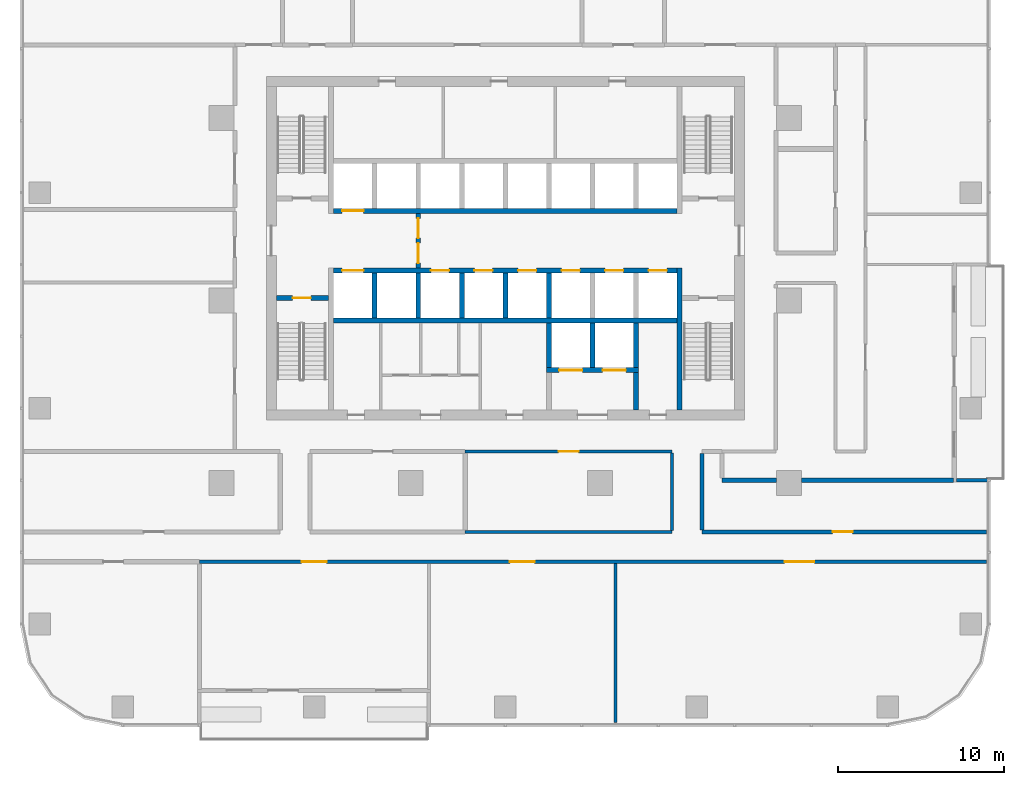
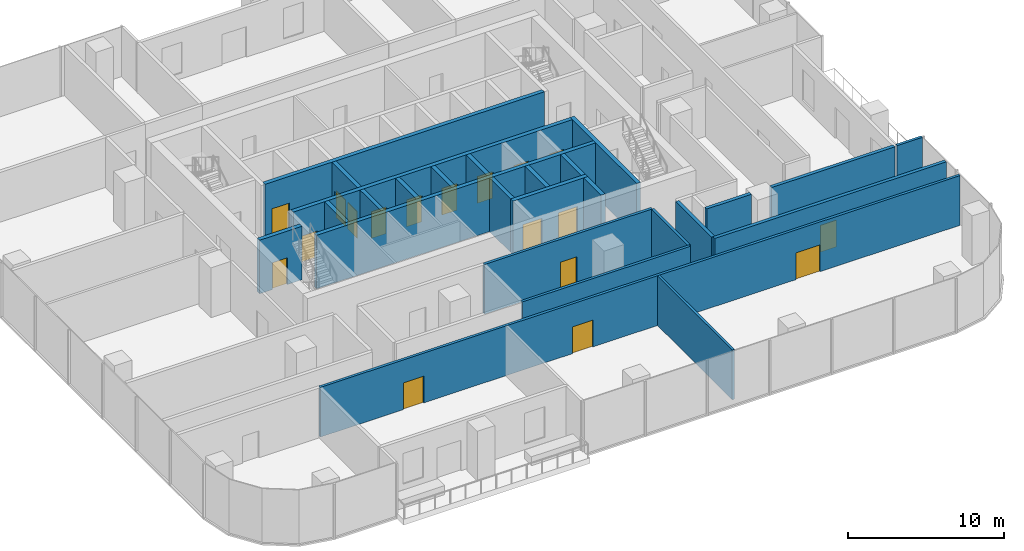
# One storey, part 8 of 14: 26 walls, 18 doors, 18 openings.
"""IFC4 building model written with IfcOpenShell, lengths in metres."""

import ifcopenshell
import ifcopenshell.guid

model = None  # the IFC model being written
_history = None  # IfcOwnerHistory: only IFC2X3 demands one
_inside = {}  # id of a spatial element -> (the spatial element, [elements in it])
_under = {}  # id of a project, library or spatial element -> (it, [spatial elements below it])
_declared = {}  # id of a project -> (the project, [libraries it declares])
_typed = {}  # id of a type object -> (the type object, [elements of that type])
_made_of = {}  # id of a material, layer set ... -> (it, [elements and type objects made of it])


def new_model(schema):
    """Start an empty IFC model of exactly this schema.

    Asked for "IFC4X3", IfcOpenShell would pick the latest addendum, in which some entities
    have other attributes; the version numbers below select the first issue.
    IFC2X3 requires an IfcOwnerHistory on every rooted entity: one is made here for all.
    """
    global model, _history
    if schema == "IFC4X3":
        model = ifcopenshell.file(schema_version=(4, 3, 0, 0))
    else:
        model = ifcopenshell.file(schema=schema)
    _inside.clear()
    _under.clear()
    _declared.clear()
    _typed.clear()
    _made_of.clear()
    _history = None
    if model.schema == "IFC2X3":
        org = make("IfcOrganization", Name="unknown")
        user = make(
            "IfcPersonAndOrganization",
            ThePerson=make("IfcPerson", FamilyName="unknown"),
            TheOrganization=org,
        )
        app = make(
            "IfcApplication",
            ApplicationDeveloper=org,
            Version="unknown",
            ApplicationFullName="unknown",
            ApplicationIdentifier="unknown",
        )
        _history = make(
            "IfcOwnerHistory",
            OwningUser=user,
            OwningApplication=app,
            ChangeAction="ADDED",
            CreationDate=0,
        )
    return model


def make(cls, **values):
    """One entity of the class cls with the attributes given. An attribute that is None is left unset."""
    return model.create_entity(
        cls, **{name: value for name, value in values.items() if value is not None}
    )


def rooted(cls, **values):
    """An entity with a GlobalId (a new one), such as an element, a storey or a relation."""
    return make(cls, GlobalId=ifcopenshell.guid.new(), OwnerHistory=_history, **values)


def si_unit(unit_type, name, prefix=None):
    """IfcSIUnit, for example si_unit("LENGTHUNIT", "METRE", prefix="MILLI")."""
    return make("IfcSIUnit", UnitType=unit_type, Prefix=prefix, Name=name)


def assignment(units):
    """IfcUnitAssignment: the units of a project."""
    return None if units is None else make("IfcUnitAssignment", Units=units)


def point(xyz):
    """IfcCartesianPoint."""
    return None if xyz is None else make("IfcCartesianPoint", Coordinates=xyz)


def direction(xyz):
    """IfcDirection."""
    return None if xyz is None else make("IfcDirection", DirectionRatios=xyz)


def frame(location, z_axis=None, x_axis=None):
    """IfcAxis2Placement3D, a coordinate frame: its origin and axes. An axis left out is left unset."""
    return make(
        "IfcAxis2Placement3D",
        Location=point(location),
        Axis=direction(z_axis),
        RefDirection=direction(x_axis),
    )


def frame_2d(location, x_axis=None):
    """IfcAxis2Placement2D, a coordinate frame in the plane: its origin and x axis."""
    return make(
        "IfcAxis2Placement2D", Location=point(location), RefDirection=direction(x_axis)
    )


def origin():
    """The frame at (0, 0, 0) with its axes left unset."""
    return frame((0.0, 0.0, 0.0))


def place(relative_to, where):
    """IfcLocalPlacement: puts the frame where relative to a parent placement (None: the world)."""
    return make(
        "IfcLocalPlacement", PlacementRelTo=relative_to, RelativePlacement=where
    )


def context(
    kind, dimensions, precision=None, world=None, true_north=None, identifier=None
):
    """IfcGeometricRepresentationContext, for example the 3D "Model" context."""
    return make(
        "IfcGeometricRepresentationContext",
        ContextIdentifier=identifier,
        ContextType=kind,
        CoordinateSpaceDimension=dimensions,
        Precision=precision,
        WorldCoordinateSystem=world,
        TrueNorth=true_north,
    )


def subcontext(parent, identifier, kind, view, scale=None):
    """IfcGeometricRepresentationSubContext, for example "Body" below "Model"."""
    return make(
        "IfcGeometricRepresentationSubContext",
        ContextIdentifier=identifier,
        ContextType=kind,
        ParentContext=parent,
        TargetScale=scale,
        TargetView=view,
    )


def project(units=None, contexts=None):
    """IfcProject with its units and contexts."""
    return rooted(
        "IfcProject",
        Name="project",
        RepresentationContexts=contexts,
        UnitsInContext=assignment(units),
    )


def spatial(cls, under=None, at=None, **own):
    """A site, building, storey or space (cls), placed at a placement, below another one or the project."""
    s = rooted(cls, ObjectPlacement=at, **own)
    if under is not None:
        _under.setdefault(under.id(), (under, []))[1].append(s)
    return s


def profile(cls, at=None, kind="AREA", **sizes):
    """A parametric profile (cls). Its sizes go by their IFC names, for example OverallWidth=200.0."""
    return make(cls, ProfileType=kind, Position=at, **sizes)


def rectangle(**sizes):
    """IfcRectangleProfileDef."""
    return profile("IfcRectangleProfileDef", **sizes)


def extrude(swept, where, along, depth):
    """IfcExtrudedAreaSolid: the profile swept, set in the frame where, extruded along a direction by depth."""
    return make(
        "IfcExtrudedAreaSolid",
        SweptArea=swept,
        Position=where,
        ExtrudedDirection=direction(along),
        Depth=depth,
    )


def shape(context_of_items, identifier, shape_type, items):
    """IfcShapeRepresentation: the items that make up one representation, for example the "Body"."""
    return make(
        "IfcShapeRepresentation",
        ContextOfItems=context_of_items,
        RepresentationIdentifier=identifier,
        RepresentationType=shape_type,
        Items=items,
    )


def material(Name=None, Category=None):
    """IfcMaterial."""
    return make("IfcMaterial", Name=Name, Category=Category)


def layer(
    of_material, thickness, ventilated=None, Name=None, Category=None, Priority=None
):
    """IfcMaterialLayer: one layer of a wall or slab, of a material (None: an air gap)."""
    return make(
        "IfcMaterialLayer",
        Material=of_material,
        LayerThickness=thickness,
        IsVentilated=ventilated,
        Name=Name,
        Category=Category,
        Priority=Priority,
    )


def layer_set(layers, Name=None):
    """IfcMaterialLayerSet."""
    return make("IfcMaterialLayerSet", MaterialLayers=layers, LayerSetName=Name)


def made_of(thing, what):
    """Note that an element or type object is made of a material, layer set ...; save() writes the relation."""
    if what is not None:
        _made_of.setdefault(what.id(), (what, []))[1].append(thing)
    return thing


def type_object(cls, material=None, **own):
    """A type object (cls), such as IfcWallType, which elements share."""
    return made_of(rooted(cls, **own), material)


def element(
    cls,
    number,
    at=None,
    inside=None,
    cuts=None,
    type_object=None,
    material=None,
    context=None,
    identifier="Body",
    shape_type=None,
    held_by="IfcProductDefinitionShape",
    body=None,
    shapes=None,
    **own,
):
    """One element of the class cls, such as IfcWall. Its Tag is "e" and its number.

    at: its placement. inside: the storey or other place that contains it. cuts: it is an
    opening in that element (IfcRelVoidsElement). A single representation is given by context,
    identifier, shape_type and body (its items); several are given by shapes. held_by: the class
    of the entity that holds the representations. save() writes the other relations.
    """
    e = rooted(cls, Tag="e%d" % number, ObjectPlacement=at, **own)
    if body is not None:
        shapes = [shape(context, identifier, shape_type, body)]
    if shapes is not None:
        e.Representation = make(held_by, Representations=shapes)
    if inside is not None:
        _inside.setdefault(inside.id(), (inside, []))[1].append(e)
    if cuts is not None:
        rooted(
            "IfcRelVoidsElement", RelatingBuildingElement=cuts, RelatedOpeningElement=e
        )
    if type_object is not None:
        _typed.setdefault(type_object.id(), (type_object, []))[1].append(e)
    return made_of(e, material)


def fill(opening, filler):
    """IfcRelFillsElement: the door or window that sits in an opening."""
    return rooted(
        "IfcRelFillsElement",
        RelatingOpeningElement=opening,
        RelatedBuildingElement=filler,
    )


def aggregate(whole, parts):
    """IfcRelAggregates: a whole, such as a stair, and the parts it consists of."""
    return rooted("IfcRelAggregates", RelatingObject=whole, RelatedObjects=parts)


def save(model, path):
    """Write the relations noted so far, then the file.

    IfcRelAggregates (storeys below a building ...), IfcRelContainedInSpatialStructure (elements
    in a storey), IfcRelDefinesByType, IfcRelAssociatesMaterial and IfcRelDeclares: one each for
    every whole, place, type object, material and project.
    """
    for whole, parts in _under.values():
        aggregate(whole, parts)
    for where, things in _inside.values():
        rooted(
            "IfcRelContainedInSpatialStructure",
            RelatedElements=things,
            RelatingStructure=where,
        )
    for kind, things in _typed.values():
        rooted("IfcRelDefinesByType", RelatedObjects=things, RelatingType=kind)
    for what, things in _made_of.values():
        rooted("IfcRelAssociatesMaterial", RelatedObjects=things, RelatingMaterial=what)
    for by, libraries in _declared.values():
        rooted("IfcRelDeclares", RelatingContext=by, RelatedDefinitions=libraries)
    model.write(path)


model = new_model("IFC4")

# Units and contexts
model_context = context("Model", 3, precision=1e-05, world=origin(), true_north=direction((0.0, 1.0)))
body_context = subcontext(model_context, "Body", "Model", "MODEL_VIEW")
ifc_project = project(units=[si_unit("LENGTHUNIT", "METRE"), si_unit("AREAUNIT", "SQUARE_METRE"), si_unit("VOLUMEUNIT", "CUBIC_METRE"), si_unit("PLANEANGLEUNIT", "RADIAN"), si_unit("MASSUNIT", "GRAM", prefix="KILO")], contexts=[model_context])

# Site, building, storey
site_placement = place(None, origin())
site = spatial("IfcSite", under=ifc_project, at=site_placement, CompositionType="ELEMENT")
building_placement = place(site_placement, origin())
building = spatial("IfcBuilding", under=site, at=building_placement, Name="Mopane Tessera Tower", CompositionType="ELEMENT")
storey_placement = place(building_placement, frame((0.0, 0.0, 144.10009765625)))
storey = spatial("IfcBuildingStorey", under=building, at=storey_placement, Name="L29", CompositionType="ELEMENT", Elevation=144.10009765625)

# Walls
ifc_material_1 = material(Name="Concrete C60/75", Category="concrete")
ifc_layer_1 = layer(ifc_material_1, 0.300048828125)
ifc_layer_set_1 = layer_set([ifc_layer_1], Name="Concrete C60/75")
wall_type_1 = type_object("IfcWallType", Name="Core spine wall 300 mm", PredefinedType="SHEAR", material=ifc_layer_set_1)
wall_1_placement = place(storey_placement, frame((10.5, -6.60009765625, 0.0), z_axis=(0.0, 0.0, 1.0), x_axis=(0.0, 1.0, 0.0)))
element("IfcWall", 1, at=wall_1_placement, inside=storey, type_object=wall_type_1, Name="L29 Core spine wall", PredefinedType="SHEAR", context=body_context, shape_type="SweptSolid", body=[
    extrude(rectangle(XDim=8.550048828125, YDim=0.300048828125, at=frame_2d((4.27490234375, 0.0))), origin(), (0.0, 0.0, 1.0), 4.199951171875),
])
ifc_material_2 = material(Name="Gypsum board on staggered steel studs, double layer each face, acoustic mineral wool infill", Category="steel")
ifc_layer_2 = layer(ifc_material_2, 0.175048828125)
ifc_layer_set_2 = layer_set([ifc_layer_2], Name="Gypsum board on staggered steel studs, double layer each face, acoustic mineral wool infill")
wall_type_2 = type_object("IfcWallType", Name="Gypsum board acoustic partition 175, rated EI 60", PredefinedType="PARTITIONING", material=ifc_layer_set_2)
wall_2_placement = place(storey_placement, frame((6.64501953125, -25.449951171875, 0.0), z_axis=(0.0, 0.0, 1.0), x_axis=(0.0, 1.0, 0.0)))
element("IfcWall", 2, at=wall_2_placement, inside=storey, type_object=wall_type_2, Name="Partition L29:042", PredefinedType="PARTITIONING", context=body_context, shape_type="SweptSolid", body=[
    extrude(rectangle(XDim=9.599853515625, YDim=0.175048828125, at=frame_2d((4.7998046875, 0.0))), origin(), (0.0, 0.0, 1.0), 3.89990234375),
])

# Wall, openings, doors
ifc_material_3 = material(Name="Gypsum board on steel studs, two layers each face, mineral wool infill", Category="steel")
ifc_layer_3 = layer(ifc_material_3, 0.199951171875)
ifc_layer_set_3 = layer_set([ifc_layer_3], Name="Gypsum board on steel studs, two layers each face, mineral wool infill")
wall_type_3 = type_object("IfcWallType", Name="Gypsum board corridor wall 200, rated EI 60", PredefinedType="PARTITIONING", material=ifc_layer_set_3)
wall_3_placement = place(storey_placement, frame((-18.43994140625, -15.75, 0.0), z_axis=(0.0, 0.0, 1.0), x_axis=(1.0, 0.0, 0.0)))
wall_3 = element("IfcWall", 3, at=wall_3_placement, inside=storey, type_object=wall_type_3, Name="Partition L29:000", PredefinedType="PARTITIONING", context=body_context, shape_type="SweptSolid", body=[
    extrude(rectangle(XDim=47.43994140625, YDim=0.199951171875, at=frame_2d((23.719970703125, 0.0))), origin(), (0.0, 0.0, 1.0), 3.89990234375),
])
opening_1_placement = place(wall_3_placement, frame((18.70751953125, 0.0, 0.0)))
opening_1 = element("IfcOpeningElement", 4, at=opening_1_placement, cuts=wall_3, Name="Opening L29-03", PredefinedType="OPENING", context=body_context, shape_type="SweptSolid", body=[
    extrude(rectangle(XDim=1.5, YDim=2.10009765625, at=frame_2d((0.75, 1.050048828125))), frame((0.0, 0.112060546875, 0.0), z_axis=(0.0, -1.0, 0.0), x_axis=(1.0, 0.0, 0.0)), (0.0, 0.0, 1.0), 0.223876953125),
])
opening_2_placement = place(wall_3_placement, frame((6.1650390625, 0.0, 0.0)))
opening_2 = element("IfcOpeningElement", 5, at=opening_2_placement, cuts=wall_3, Name="Opening L29-12", PredefinedType="OPENING", context=body_context, shape_type="SweptSolid", body=[
    extrude(rectangle(XDim=1.5, YDim=2.10009765625, at=frame_2d((0.75, 1.050048828125))), frame((0.0, 0.112060546875, 0.0), z_axis=(0.0, -1.0, 0.0), x_axis=(1.0, 0.0, 0.0)), (0.0, 0.0, 1.0), 0.223876953125),
])
opening_3_placement = place(wall_3_placement, frame((35.262451171875, 0.0, 0.0)))
opening_3 = element("IfcOpeningElement", 6, at=opening_3_placement, cuts=wall_3, Name="Opening L29-20", PredefinedType="OPENING", context=body_context, shape_type="SweptSolid", body=[
    extrude(rectangle(XDim=1.800048828125, YDim=2.10009765625, at=frame_2d((0.89990234375, 1.050048828125))), frame((0.0, 0.112060546875, 0.0), z_axis=(0.0, -1.0, 0.0), x_axis=(1.0, 0.0, 0.0)), (0.0, 0.0, 1.0), 0.223876953125),
])
ifc_material_4 = material(Name="Timber veneered steel-framed fire door", Category="steel")
door_type_1 = type_object("IfcDoorType", Name="Fire door pair FD60 1500 x 2100", OperationType="DOUBLE_DOOR_SINGLE_SWING", PredefinedType="DOOR", material=ifc_material_4)
door_1_placement = place(opening_1_placement, origin())
door_1 = element("IfcDoor", 7, at=door_1_placement, inside=storey, type_object=door_type_1, Name="Door L29-03", ObjectType="D17A", OperationType="DOUBLE_DOOR_SINGLE_SWING", OverallHeight=2.10009765625, OverallWidth=1.5, PredefinedType="DOOR", context=body_context, shape_type="SweptSolid", body=[
    extrude(rectangle(XDim=1.5, YDim=2.10009765625, at=frame_2d((0.75, 1.050048828125))), frame((0.0, 0.02490234375, 0.0), z_axis=(0.0, -1.0, 0.0), x_axis=(1.0, 0.0, 0.0)), (0.0, 0.0, 1.0), 0.050048828125),
])
fill(opening_1, door_1)
door_2_placement = place(opening_2_placement, origin())
door_2 = element("IfcDoor", 8, at=door_2_placement, inside=storey, type_object=door_type_1, Name="Door L29-12", ObjectType="D17A", OperationType="DOUBLE_DOOR_SINGLE_SWING", OverallHeight=2.10009765625, OverallWidth=1.5, PredefinedType="DOOR", context=body_context, shape_type="SweptSolid", body=[
    extrude(rectangle(XDim=1.5, YDim=2.10009765625, at=frame_2d((0.75, 1.050048828125))), frame((0.0, 0.02490234375, 0.0), z_axis=(0.0, -1.0, 0.0), x_axis=(1.0, 0.0, 0.0)), (0.0, 0.0, 1.0), 0.050048828125),
])
fill(opening_2, door_2)
ifc_material_5 = material(Name="Timber veneered steel-framed fire door", Category="steel")
door_type_2 = type_object("IfcDoorType", Name="Fire door pair FD60 1800 x 2100", OperationType="DOUBLE_DOOR_SINGLE_SWING", PredefinedType="DOOR", material=ifc_material_5)
door_3_placement = place(opening_3_placement, origin())
door_3 = element("IfcDoor", 9, at=door_3_placement, inside=storey, type_object=door_type_2, Name="Door L29-20", ObjectType="D20A", OperationType="DOUBLE_DOOR_SINGLE_SWING", OverallHeight=2.10009765625, OverallWidth=1.800048828125, PredefinedType="DOOR", context=body_context, shape_type="SweptSolid", body=[
    extrude(rectangle(XDim=1.800048828125, YDim=2.10009765625, at=frame_2d((0.89990234375, 1.050048828125))), frame((0.0, 0.02490234375, 0.0), z_axis=(0.0, -1.0, 0.0), x_axis=(1.0, 0.0, 0.0)), (0.0, 0.0, 1.0), 0.050048828125),
])
fill(opening_3, door_3)

# Wall
wall_4_placement = place(storey_placement, frame((-2.419921875, -13.949951171875, 0.0), z_axis=(0.0, 0.0, 1.0), x_axis=(1.0, 0.0, 0.0)))
element("IfcWall", 10, at=wall_4_placement, inside=storey, type_object=wall_type_3, Name="Partition L29:002", PredefinedType="PARTITIONING", context=body_context, shape_type="SweptSolid", body=[
    extrude(rectangle(XDim=12.46484375, YDim=0.199951171875, at=frame_2d((6.232421875, 0.0))), origin(), (0.0, 0.0, 1.0), 3.89990234375),
])

# Wall, opening, door
wall_5_placement = place(storey_placement, frame((-2.419921875, -9.10009765625, 0.0), z_axis=(0.0, 0.0, 1.0), x_axis=(1.0, 0.0, 0.0)))
wall_5 = element("IfcWall", 11, at=wall_5_placement, inside=storey, type_object=wall_type_3, Name="Partition L29:008", PredefinedType="PARTITIONING", context=body_context, shape_type="SweptSolid", body=[
    extrude(rectangle(XDim=12.46484375, YDim=0.199951171875, at=frame_2d((6.232421875, 0.0))), origin(), (0.0, 0.0, 1.0), 3.89990234375),
])
opening_4_placement = place(wall_5_placement, frame((5.632568359375, 0.0, 0.0)))
opening_4 = element("IfcOpeningElement", 12, at=opening_4_placement, cuts=wall_5, Name="Opening L29-18", PredefinedType="OPENING", context=body_context, shape_type="SweptSolid", body=[
    extrude(rectangle(XDim=1.199951171875, YDim=2.10009765625, at=frame_2d((0.60009765625, 1.050048828125))), frame((0.0, 0.112060546875, 0.0), z_axis=(0.0, -1.0, 0.0), x_axis=(1.0, 0.0, 0.0)), (0.0, 0.0, 1.0), 0.223876953125),
])
ifc_material_6 = material(Name="Timber veneered steel-framed fire door", Category="steel")
door_type_3 = type_object("IfcDoorType", Name="Fire door FD60 1200 x 2100", OperationType="SINGLE_SWING_LEFT", PredefinedType="DOOR", material=ifc_material_6)
door_4_placement = place(opening_4_placement, origin())
door_4 = element("IfcDoor", 13, at=door_4_placement, inside=storey, type_object=door_type_3, Name="Door L29-18", ObjectType="D15A", OperationType="SINGLE_SWING_RIGHT", OverallHeight=2.10009765625, OverallWidth=1.199951171875, PredefinedType="DOOR", context=body_context, shape_type="SweptSolid", body=[
    extrude(rectangle(XDim=1.199951171875, YDim=2.10009765625, at=frame_2d((0.60009765625, 1.050048828125))), frame((0.0, 0.02490234375, 0.0), z_axis=(0.0, -1.0, 0.0), x_axis=(1.0, 0.0, 0.0)), (0.0, 0.0, 1.0), 0.050048828125),
])
fill(opening_4, door_4)

# Wall
wall_6_placement = place(storey_placement, frame((10.044921875, -13.85009765625, 0.0), z_axis=(0.0, 0.0, 1.0), x_axis=(0.0, 1.0, 0.0)))
element("IfcWall", 14, at=wall_6_placement, inside=storey, type_object=wall_type_3, Name="Partition L29:044", PredefinedType="PARTITIONING", context=body_context, shape_type="SweptSolid", body=[
    extrude(rectangle(XDim=4.650146484375, YDim=0.199951171875, at=frame_2d((2.3251953125, 0.0))), origin(), (0.0, 0.0, 1.0), 3.89990234375),
])

# Wall, opening, door
ifc_material_7 = material(Name="Concrete C50/60", Category="concrete")
ifc_layer_4 = layer(ifc_material_7, 0.300048828125)
ifc_layer_set_4 = layer_set([ifc_layer_4], Name="Concrete C50/60")
wall_type_4 = type_object("IfcWallType", Name="Lift and stair shaft wall 300 mm", PredefinedType="SOLIDWALL", material=ifc_layer_set_4)
wall_7_placement = place(storey_placement, frame((-13.800048828125, 0.14990234375, 0.0), z_axis=(0.0, 0.0, 1.0), x_axis=(1.0, 0.0, 0.0)))
wall_7 = element("IfcWall", 15, at=wall_7_placement, inside=storey, type_object=wall_type_4, Name="L29 Stair enclosure wall", PredefinedType="SOLIDWALL", context=body_context, shape_type="SweptSolid", body=[
    extrude(rectangle(XDim=3.150146484375, YDim=0.300048828125, at=frame_2d((1.5751953125, 0.0))), origin(), (0.0, 0.0, 1.0), 4.199951171875),
])
opening_5_placement = place(wall_7_placement, frame((0.97509765625, 0.0, 0.0)))
opening_5 = element("IfcOpeningElement", 16, at=opening_5_placement, cuts=wall_7, Name="Opening SD1", PredefinedType="OPENING", context=body_context, shape_type="SweptSolid", body=[
    extrude(rectangle(XDim=1.10009765625, YDim=2.10009765625, at=frame_2d((0.550048828125, 1.050048828125))), frame((0.0, 0.162109375, 0.0), z_axis=(0.0, -1.0, 0.0), x_axis=(1.0, 0.0, 0.0)), (0.0, 0.0, 1.0), 0.323974609375),
])
ifc_material_8 = material(Name="Steel fire door", Category="steel")
door_type_4 = type_object("IfcDoorType", Name="Stair fire door 1100 x 2100", OperationType="SINGLE_SWING_LEFT", PredefinedType="DOOR", material=ifc_material_8)
door_5_placement = place(opening_5_placement, origin())
door_5 = element("IfcDoor", 17, at=door_5_placement, inside=storey, type_object=door_type_4, Name="L29 Stair door ST1", OperationType="SINGLE_SWING_LEFT", OverallHeight=2.10009765625, OverallWidth=1.10009765625, PredefinedType="DOOR", context=body_context, shape_type="SweptSolid", body=[
    extrude(rectangle(XDim=1.10009765625, YDim=2.10009765625, at=frame_2d((0.550048828125, 1.050048828125))), frame((0.0, 0.02490234375, 0.0), z_axis=(0.0, -1.0, 0.0), x_axis=(1.0, 0.0, 0.0)), (0.0, 0.0, 1.0), 0.050048828125),
])
fill(opening_5, door_5)

# Wall
wall_8_placement = place(storey_placement, frame((-10.35009765625, -1.199951171875, 0.0), z_axis=(0.0, 0.0, 1.0), x_axis=(1.0, 0.0, 0.0)))
element("IfcWall", 18, at=wall_8_placement, inside=storey, type_object=wall_type_4, Name="L29 Lift shaft rear wall", PredefinedType="SOLIDWALL", context=body_context, shape_type="SweptSolid", body=[
    extrude(rectangle(XDim=20.7001953125, YDim=0.300048828125, at=frame_2d((10.35009765625, 0.0))), origin(), (0.0, 0.0, 1.0), 4.199951171875),
])

# Wall, openings, doors
wall_9_placement = place(storey_placement, frame((-10.35009765625, 1.800048828125, 0.0), z_axis=(0.0, 0.0, 1.0), x_axis=(1.0, 0.0, 0.0)))
wall_9 = element("IfcWall", 19, at=wall_9_placement, inside=storey, type_object=wall_type_4, Name="L29 Lift shaft front wall", PredefinedType="SOLIDWALL", context=body_context, shape_type="SweptSolid", body=[
    extrude(rectangle(XDim=20.7001953125, YDim=0.300048828125, at=frame_2d((10.35009765625, 0.0))), origin(), (0.0, 0.0, 1.0), 4.199951171875),
])
opening_6_placement = place(wall_9_placement, frame((0.512451171875, 0.0, 0.0)))
opening_6 = element("IfcOpeningElement", 20, at=opening_6_placement, cuts=wall_9, Name="Opening LD2", PredefinedType="OPENING", context=body_context, shape_type="SweptSolid", body=[
    extrude(rectangle(XDim=1.300048828125, YDim=2.10009765625, at=frame_2d((0.64990234375, 1.050048828125))), frame((0.0, 0.162109375, 0.0), z_axis=(0.0, -1.0, 0.0), x_axis=(1.0, 0.0, 0.0)), (0.0, 0.0, 1.0), 0.323974609375),
])
opening_7_placement = place(wall_9_placement, frame((5.862548828125, 0.0, 0.0)))
opening_7 = element("IfcOpeningElement", 21, at=opening_7_placement, cuts=wall_9, Name="Opening LD", PredefinedType="OPENING", context=body_context, shape_type="SweptSolid", body=[
    extrude(rectangle(XDim=1.10009765625, YDim=2.10009765625, at=frame_2d((0.550048828125, 1.050048828125))), frame((0.0, 0.162109375, 0.0), z_axis=(0.0, -1.0, 0.0), x_axis=(1.0, 0.0, 0.0)), (0.0, 0.0, 1.0), 0.323974609375),
])
opening_8_placement = place(wall_9_placement, frame((8.487548828125, 0.0, 0.0)))
opening_8 = element("IfcOpeningElement", 22, at=opening_8_placement, cuts=wall_9, Name="Opening LD", PredefinedType="OPENING", context=body_context, shape_type="SweptSolid", body=[
    extrude(rectangle(XDim=1.10009765625, YDim=2.10009765625, at=frame_2d((0.550048828125, 1.050048828125))), frame((0.0, 0.162109375, 0.0), z_axis=(0.0, -1.0, 0.0), x_axis=(1.0, 0.0, 0.0)), (0.0, 0.0, 1.0), 0.323974609375),
])
opening_9_placement = place(wall_9_placement, frame((11.112548828125, 0.0, 0.0)))
opening_9 = element("IfcOpeningElement", 23, at=opening_9_placement, cuts=wall_9, Name="Opening LD", PredefinedType="OPENING", context=body_context, shape_type="SweptSolid", body=[
    extrude(rectangle(XDim=1.10009765625, YDim=2.10009765625, at=frame_2d((0.550048828125, 1.050048828125))), frame((0.0, 0.162109375, 0.0), z_axis=(0.0, -1.0, 0.0), x_axis=(1.0, 0.0, 0.0)), (0.0, 0.0, 1.0), 0.323974609375),
])
opening_10_placement = place(wall_9_placement, frame((13.737548828125, 0.0, 0.0)))
opening_10 = element("IfcOpeningElement", 24, at=opening_10_placement, cuts=wall_9, Name="Opening LD", PredefinedType="OPENING", context=body_context, shape_type="SweptSolid", body=[
    extrude(rectangle(XDim=1.10009765625, YDim=2.10009765625, at=frame_2d((0.550048828125, 1.050048828125))), frame((0.0, 0.162109375, 0.0), z_axis=(0.0, -1.0, 0.0), x_axis=(1.0, 0.0, 0.0)), (0.0, 0.0, 1.0), 0.323974609375),
])
opening_11_placement = place(wall_9_placement, frame((16.362548828125, 0.0, 0.0)))
opening_11 = element("IfcOpeningElement", 25, at=opening_11_placement, cuts=wall_9, Name="Opening LD", PredefinedType="OPENING", context=body_context, shape_type="SweptSolid", body=[
    extrude(rectangle(XDim=1.10009765625, YDim=2.10009765625, at=frame_2d((0.550048828125, 1.050048828125))), frame((0.0, 0.162109375, 0.0), z_axis=(0.0, -1.0, 0.0), x_axis=(1.0, 0.0, 0.0)), (0.0, 0.0, 1.0), 0.323974609375),
])
opening_12_placement = place(wall_9_placement, frame((18.987548828125, 0.0, 0.0)))
opening_12 = element("IfcOpeningElement", 26, at=opening_12_placement, cuts=wall_9, Name="Opening LD", PredefinedType="OPENING", context=body_context, shape_type="SweptSolid", body=[
    extrude(rectangle(XDim=1.10009765625, YDim=2.10009765625, at=frame_2d((0.550048828125, 1.050048828125))), frame((0.0, 0.162109375, 0.0), z_axis=(0.0, -1.0, 0.0), x_axis=(1.0, 0.0, 0.0)), (0.0, 0.0, 1.0), 0.323974609375),
])
ifc_material_9 = material(Name="Stainless steel sliding door", Category="steel")
door_type_5 = type_object("IfcDoorType", Name="Fire-fighting lift landing door 1300 x 2100", OperationType="DOUBLE_DOOR_SLIDING", PredefinedType="DOOR", material=ifc_material_9)
door_6_placement = place(opening_6_placement, origin())
door_6 = element("IfcDoor", 27, at=door_6_placement, inside=storey, type_object=door_type_5, Name="L29 Lift landing door FF1", OperationType="DOUBLE_DOOR_SLIDING", OverallHeight=2.10009765625, OverallWidth=1.300048828125, PredefinedType="DOOR", context=body_context, shape_type="SweptSolid", body=[
    extrude(rectangle(XDim=1.300048828125, YDim=2.10009765625, at=frame_2d((0.64990234375, 1.050048828125))), frame((0.0, 0.02490234375, 0.0), z_axis=(0.0, -1.0, 0.0), x_axis=(1.0, 0.0, 0.0)), (0.0, 0.0, 1.0), 0.050048828125),
])
fill(opening_6, door_6)
ifc_material_10 = material(Name="Stainless steel sliding door", Category="steel")
door_type_6 = type_object("IfcDoorType", Name="Lift landing door 1100 x 2100", OperationType="DOUBLE_DOOR_SLIDING", PredefinedType="DOOR", material=ifc_material_10)
door_7_placement = place(opening_7_placement, origin())
door_7 = element("IfcDoor", 28, at=door_7_placement, inside=storey, type_object=door_type_6, Name="L29 Lift landing door LR1", OperationType="DOUBLE_DOOR_SLIDING", OverallHeight=2.10009765625, OverallWidth=1.10009765625, PredefinedType="DOOR", context=body_context, shape_type="SweptSolid", body=[
    extrude(rectangle(XDim=1.10009765625, YDim=2.10009765625, at=frame_2d((0.550048828125, 1.050048828125))), frame((0.0, 0.02490234375, 0.0), z_axis=(0.0, -1.0, 0.0), x_axis=(1.0, 0.0, 0.0)), (0.0, 0.0, 1.0), 0.050048828125),
])
fill(opening_7, door_7)
door_8_placement = place(opening_8_placement, origin())
door_8 = element("IfcDoor", 29, at=door_8_placement, inside=storey, type_object=door_type_6, Name="L29 Lift landing door LR2", OperationType="DOUBLE_DOOR_SLIDING", OverallHeight=2.10009765625, OverallWidth=1.10009765625, PredefinedType="DOOR", context=body_context, shape_type="SweptSolid", body=[
    extrude(rectangle(XDim=1.10009765625, YDim=2.10009765625, at=frame_2d((0.550048828125, 1.050048828125))), frame((0.0, 0.02490234375, 0.0), z_axis=(0.0, -1.0, 0.0), x_axis=(1.0, 0.0, 0.0)), (0.0, 0.0, 1.0), 0.050048828125),
])
fill(opening_8, door_8)
door_9_placement = place(opening_9_placement, origin())
door_9 = element("IfcDoor", 30, at=door_9_placement, inside=storey, type_object=door_type_6, Name="L29 Lift landing door LR3", OperationType="DOUBLE_DOOR_SLIDING", OverallHeight=2.10009765625, OverallWidth=1.10009765625, PredefinedType="DOOR", context=body_context, shape_type="SweptSolid", body=[
    extrude(rectangle(XDim=1.10009765625, YDim=2.10009765625, at=frame_2d((0.550048828125, 1.050048828125))), frame((0.0, 0.02490234375, 0.0), z_axis=(0.0, -1.0, 0.0), x_axis=(1.0, 0.0, 0.0)), (0.0, 0.0, 1.0), 0.050048828125),
])
fill(opening_9, door_9)
door_10_placement = place(opening_10_placement, origin())
door_10 = element("IfcDoor", 31, at=door_10_placement, inside=storey, type_object=door_type_6, Name="L29 Lift landing door LR4", OperationType="DOUBLE_DOOR_SLIDING", OverallHeight=2.10009765625, OverallWidth=1.10009765625, PredefinedType="DOOR", context=body_context, shape_type="SweptSolid", body=[
    extrude(rectangle(XDim=1.10009765625, YDim=2.10009765625, at=frame_2d((0.550048828125, 1.050048828125))), frame((0.0, 0.02490234375, 0.0), z_axis=(0.0, -1.0, 0.0), x_axis=(1.0, 0.0, 0.0)), (0.0, 0.0, 1.0), 0.050048828125),
])
fill(opening_10, door_10)
door_11_placement = place(opening_11_placement, origin())
door_11 = element("IfcDoor", 32, at=door_11_placement, inside=storey, type_object=door_type_6, Name="L29 Lift landing door LR5", OperationType="DOUBLE_DOOR_SLIDING", OverallHeight=2.10009765625, OverallWidth=1.10009765625, PredefinedType="DOOR", context=body_context, shape_type="SweptSolid", body=[
    extrude(rectangle(XDim=1.10009765625, YDim=2.10009765625, at=frame_2d((0.550048828125, 1.050048828125))), frame((0.0, 0.02490234375, 0.0), z_axis=(0.0, -1.0, 0.0), x_axis=(1.0, 0.0, 0.0)), (0.0, 0.0, 1.0), 0.050048828125),
])
fill(opening_11, door_11)
door_12_placement = place(opening_12_placement, origin())
door_12 = element("IfcDoor", 33, at=door_12_placement, inside=storey, type_object=door_type_6, Name="L29 Lift landing door LR6", OperationType="DOUBLE_DOOR_SLIDING", OverallHeight=2.10009765625, OverallWidth=1.10009765625, PredefinedType="DOOR", context=body_context, shape_type="SweptSolid", body=[
    extrude(rectangle(XDim=1.10009765625, YDim=2.10009765625, at=frame_2d((0.550048828125, 1.050048828125))), frame((0.0, 0.02490234375, 0.0), z_axis=(0.0, -1.0, 0.0), x_axis=(1.0, 0.0, 0.0)), (0.0, 0.0, 1.0), 0.050048828125),
])
fill(opening_12, door_12)

# Wall, opening, door
wall_10_placement = place(storey_placement, frame((-10.35009765625, 5.39990234375, 0.0), z_axis=(0.0, 0.0, 1.0), x_axis=(1.0, 0.0, 0.0)))
wall_10 = element("IfcWall", 34, at=wall_10_placement, inside=storey, type_object=wall_type_4, Name="L29 Lift shaft front wall", PredefinedType="SOLIDWALL", context=body_context, shape_type="SweptSolid", body=[
    extrude(rectangle(XDim=20.7001953125, YDim=0.300048828125, at=frame_2d((10.35009765625, 0.0))), origin(), (0.0, 0.0, 1.0), 4.199951171875),
])
opening_13_placement = place(wall_10_placement, frame((0.512451171875, 0.0, 0.0)))
opening_13 = element("IfcOpeningElement", 35, at=opening_13_placement, cuts=wall_10, Name="Opening LD2", PredefinedType="OPENING", context=body_context, shape_type="SweptSolid", body=[
    extrude(rectangle(XDim=1.300048828125, YDim=2.10009765625, at=frame_2d((0.64990234375, 1.050048828125))), frame((0.0, 0.162109375, 0.0), z_axis=(0.0, -1.0, 0.0), x_axis=(1.0, 0.0, 0.0)), (0.0, 0.0, 1.0), 0.323974609375),
])
door_13_placement = place(opening_13_placement, origin())
door_13 = element("IfcDoor", 36, at=door_13_placement, inside=storey, type_object=door_type_5, Name="L29 Lift landing door FF2", OperationType="DOUBLE_DOOR_SLIDING", OverallHeight=2.10009765625, OverallWidth=1.300048828125, PredefinedType="DOOR", context=body_context, shape_type="SweptSolid", body=[
    extrude(rectangle(XDim=1.300048828125, YDim=2.10009765625, at=frame_2d((0.64990234375, 1.050048828125))), frame((0.0, 0.02490234375, 0.0), z_axis=(0.0, -1.0, 0.0), x_axis=(1.0, 0.0, 0.0)), (0.0, 0.0, 1.0), 0.050048828125),
])
fill(opening_13, door_13)

# Walls
for number, where, z_axis, x_axis, name in (
    (37, (-7.875, -1.050048828125, 0.0), (0.0, 0.0, 1.0), (0.0, 1.0, 0.0), "L29 Lift shaft wall"),
    (38, (-5.25, -1.050048828125, 0.0), (0.0, 0.0, 1.0), (0.0, 1.0, 0.0), "L29 Lift shaft wall"),
    (39, (-2.625, -1.050048828125, 0.0), (0.0, 0.0, 1.0), (0.0, 1.0, 0.0), "L29 Lift shaft wall"),
    (40, (0.0, -1.050048828125, 0.0), (0.0, 0.0, 1.0), (0.0, 1.0, 0.0), "L29 Lift shaft wall"),
    (41, (2.625, -1.050048828125, 0.0), (0.0, 0.0, 1.0), (0.0, 1.0, 0.0), "L29 Lift shaft wall"),
):
    element("IfcWall", number, at=place(storey_placement, frame(where, z_axis=z_axis, x_axis=x_axis)), inside=storey, type_object=wall_type_4, Name=name, PredefinedType="SOLIDWALL", context=body_context, shape_type="SweptSolid", body=[
        extrude(rectangle(XDim=2.699951171875, YDim=0.300048828125, at=frame_2d((1.35009765625, 0.0))), origin(), (0.0, 0.0, 1.0), 4.199951171875),
    ])

# Wall, openings, doors
wall_11_placement = place(storey_placement, frame((2.47509765625, -4.199951171875, 0.0), z_axis=(0.0, 0.0, 1.0), x_axis=(1.0, 0.0, 0.0)))
wall_11 = element("IfcWall", 42, at=wall_11_placement, inside=storey, type_object=wall_type_4, Name="L29 Lift shaft front wall", PredefinedType="SOLIDWALL", context=body_context, shape_type="SweptSolid", body=[
    extrude(rectangle(XDim=5.5498046875, YDim=0.300048828125, at=frame_2d((2.77490234375, 0.0))), origin(), (0.0, 0.0, 1.0), 4.199951171875),
])
opening_14_placement = place(wall_11_placement, frame((0.762451171875, 0.0, 0.0)))
opening_14 = element("IfcOpeningElement", 43, at=opening_14_placement, cuts=wall_11, Name="Opening LD3", PredefinedType="OPENING", context=body_context, shape_type="SweptSolid", body=[
    extrude(rectangle(XDim=1.39990234375, YDim=2.10009765625, at=frame_2d((0.699951171875, 1.050048828125))), frame((0.0, 0.162109375, 0.0), z_axis=(0.0, -1.0, 0.0), x_axis=(1.0, 0.0, 0.0)), (0.0, 0.0, 1.0), 0.323974609375),
])
opening_15_placement = place(wall_11_placement, frame((3.387451171875, 0.0, 0.0)))
opening_15 = element("IfcOpeningElement", 44, at=opening_15_placement, cuts=wall_11, Name="Opening LD3", PredefinedType="OPENING", context=body_context, shape_type="SweptSolid", body=[
    extrude(rectangle(XDim=1.39990234375, YDim=2.10009765625, at=frame_2d((0.699951171875, 1.050048828125))), frame((0.0, 0.162109375, 0.0), z_axis=(0.0, -1.0, 0.0), x_axis=(1.0, 0.0, 0.0)), (0.0, 0.0, 1.0), 0.323974609375),
])
ifc_material_11 = material(Name="Stainless steel sliding door", Category="steel")
door_type_7 = type_object("IfcDoorType", Name="Service lift landing door 1400 x 2100", OperationType="DOUBLE_DOOR_SLIDING", PredefinedType="DOOR", material=ifc_material_11)
door_14_placement = place(opening_14_placement, origin())
door_14 = element("IfcDoor", 45, at=door_14_placement, inside=storey, type_object=door_type_7, Name="L29 Lift landing door SV1", OperationType="DOUBLE_DOOR_SLIDING", OverallHeight=2.10009765625, OverallWidth=1.39990234375, PredefinedType="DOOR", context=body_context, shape_type="SweptSolid", body=[
    extrude(rectangle(XDim=1.39990234375, YDim=2.10009765625, at=frame_2d((0.699951171875, 1.050048828125))), frame((0.0, 0.02490234375, 0.0), z_axis=(0.0, -1.0, 0.0), x_axis=(1.0, 0.0, 0.0)), (0.0, 0.0, 1.0), 0.050048828125),
])
fill(opening_14, door_14)
door_15_placement = place(opening_15_placement, origin())
door_15 = element("IfcDoor", 46, at=door_15_placement, inside=storey, type_object=door_type_7, Name="L29 Lift landing door SV2", OperationType="DOUBLE_DOOR_SLIDING", OverallHeight=2.10009765625, OverallWidth=1.39990234375, PredefinedType="DOOR", context=body_context, shape_type="SweptSolid", body=[
    extrude(rectangle(XDim=1.39990234375, YDim=2.10009765625, at=frame_2d((0.699951171875, 1.050048828125))), frame((0.0, 0.02490234375, 0.0), z_axis=(0.0, -1.0, 0.0), x_axis=(1.0, 0.0, 0.0)), (0.0, 0.0, 1.0), 0.050048828125),
])
fill(opening_15, door_15)

# Walls
for number, where, z_axis, x_axis, name in (
    (47, (2.625, -4.050048828125, 0.0), (0.0, 0.0, 1.0), (0.0, 1.0, 0.0), "L29 Lift shaft wall"),
    (48, (5.25, -4.050048828125, 0.0), (0.0, 0.0, 1.0), (0.0, 1.0, 0.0), "L29 Lift shaft wall"),
    (49, (7.875, -4.050048828125, 0.0), (0.0, 0.0, 1.0), (0.0, 1.0, 0.0), "L29 Lift shaft wall"),
):
    element("IfcWall", number, at=place(storey_placement, frame(where, z_axis=z_axis, x_axis=x_axis)), inside=storey, type_object=wall_type_4, Name=name, PredefinedType="SOLIDWALL", context=body_context, shape_type="SweptSolid", body=[
        extrude(rectangle(XDim=2.699951171875, YDim=0.300048828125, at=frame_2d((1.35009765625, 0.0))), origin(), (0.0, 0.0, 1.0), 4.199951171875),
    ])

# Wall, openings, doors
ifc_material_12 = material(Name="Concrete C50/60", Category="concrete")
ifc_layer_5 = layer(ifc_material_12, 0.300048828125)
ifc_layer_set_5 = layer_set([ifc_layer_5], Name="Concrete C50/60")
wall_type_5 = type_object("IfcWallType", Name="Lobby and refuge room wall 300 mm", PredefinedType="SOLIDWALL", material=ifc_layer_set_5)
wall_12_placement = place(storey_placement, frame((-5.25, 1.949951171875, 0.0), z_axis=(0.0, 0.0, 1.0), x_axis=(0.0, 1.0, 0.0)))
wall_12 = element("IfcWall", 50, at=wall_12_placement, inside=storey, type_object=wall_type_5, Name="L29 Fire-fighting lobby wall", PredefinedType="SOLIDWALL", context=body_context, shape_type="SweptSolid", body=[
    extrude(rectangle(XDim=3.300048828125, YDim=0.300048828125, at=frame_2d((1.64990234375, 0.0))), origin(), (0.0, 0.0, 1.0), 4.199951171875),
])
opening_16_placement = place(wall_12_placement, frame((0.300048828125, 0.0, 0.0)))
opening_16 = element("IfcOpeningElement", 51, at=opening_16_placement, cuts=wall_12, Name="Opening SD3", PredefinedType="OPENING", context=body_context, shape_type="SweptSolid", body=[
    extrude(rectangle(XDim=1.199951171875, YDim=2.10009765625, at=frame_2d((0.60009765625, 1.050048828125))), frame((0.0, 0.162109375, 0.0), z_axis=(0.0, -1.0, 0.0), x_axis=(1.0, 0.0, 0.0)), (0.0, 0.0, 1.0), 0.323974609375),
])
opening_17_placement = place(wall_12_placement, frame((1.800048828125, 0.0, 0.0)))
opening_17 = element("IfcOpeningElement", 52, at=opening_17_placement, cuts=wall_12, Name="Opening SD3", PredefinedType="OPENING", context=body_context, shape_type="SweptSolid", body=[
    extrude(rectangle(XDim=1.199951171875, YDim=2.10009765625, at=frame_2d((0.60009765625, 1.050048828125))), frame((0.0, 0.162109375, 0.0), z_axis=(0.0, -1.0, 0.0), x_axis=(1.0, 0.0, 0.0)), (0.0, 0.0, 1.0), 0.323974609375),
])
ifc_material_13 = material(Name="Steel fire door", Category="steel")
door_type_8 = type_object("IfcDoorType", Name="Lobby fire door 1200 x 2100", OperationType="SINGLE_SWING_LEFT", PredefinedType="DOOR", material=ifc_material_13)
door_16_placement = place(opening_16_placement, origin())
door_16 = element("IfcDoor", 53, at=door_16_placement, inside=storey, type_object=door_type_8, Name="L29 Fire-fighting lobby door", OperationType="SINGLE_SWING_LEFT", OverallHeight=2.10009765625, OverallWidth=1.199951171875, PredefinedType="DOOR", context=body_context, shape_type="SweptSolid", body=[
    extrude(rectangle(XDim=1.199951171875, YDim=2.10009765625, at=frame_2d((0.60009765625, 1.050048828125))), frame((0.0, 0.02490234375, 0.0), z_axis=(0.0, -1.0, 0.0), x_axis=(1.0, 0.0, 0.0)), (0.0, 0.0, 1.0), 0.050048828125),
])
fill(opening_16, door_16)
door_17_placement = place(opening_17_placement, origin())
door_17 = element("IfcDoor", 54, at=door_17_placement, inside=storey, type_object=door_type_8, Name="L29 Fire-fighting lobby door", OperationType="SINGLE_SWING_RIGHT", OverallHeight=2.10009765625, OverallWidth=1.199951171875, PredefinedType="DOOR", context=body_context, shape_type="SweptSolid", body=[
    extrude(rectangle(XDim=1.199951171875, YDim=2.10009765625, at=frame_2d((0.60009765625, 1.050048828125))), frame((0.0, 0.02490234375, 0.0), z_axis=(0.0, -1.0, 0.0), x_axis=(1.0, 0.0, 0.0)), (0.0, 0.0, 1.0), 0.050048828125),
])
fill(opening_17, door_17)

# Wall
wall_13_placement = place(storey_placement, frame((7.875, -6.60009765625, 0.0), z_axis=(0.0, 0.0, 1.0), x_axis=(0.0, 1.0, 0.0)))
element("IfcWall", 55, at=wall_13_placement, inside=storey, type_object=wall_type_5, Name="L29 Service lobby wall", PredefinedType="SOLIDWALL", context=body_context, shape_type="SweptSolid", body=[
    extrude(rectangle(XDim=2.25, YDim=0.300048828125, at=frame_2d((1.125, 0.0))), origin(), (0.0, 0.0, 1.0), 4.199951171875),
])

# Wall, opening, door
ifc_material_14 = material(Name="Plastered concrete blockwork C20/25", Category="masonry")
ifc_layer_6 = layer(ifc_material_14, 0.25)
ifc_layer_set_6 = layer_set([ifc_layer_6], Name="Plastered concrete blockwork C20/25")
wall_type_6 = type_object("IfcWallType", Name="Plastered blockwork wall 250, rated EI 120", PredefinedType="PARTITIONING", material=ifc_layer_set_6)
wall_14_placement = place(storey_placement, frame((11.844970703125, -13.949951171875, 0.0), z_axis=(0.0, 0.0, 1.0), x_axis=(1.0, 0.0, 0.0)))
wall_14 = element("IfcWall", 56, at=wall_14_placement, inside=storey, type_object=wall_type_6, Name="Partition L29:005", PredefinedType="PARTITIONING", context=body_context, shape_type="SweptSolid", body=[
    extrude(rectangle(XDim=17.155029296875, YDim=0.25, at=frame_2d((8.57763671875, 0.0))), origin(), (0.0, 0.0, 1.0), 3.89990234375),
])
opening_18_placement = place(wall_14_placement, frame((7.87744140625, 0.0, 0.0)))
opening_18 = element("IfcOpeningElement", 57, at=opening_18_placement, cuts=wall_14, Name="Opening L29-01", PredefinedType="OPENING", context=body_context, shape_type="SweptSolid", body=[
    extrude(rectangle(XDim=1.199951171875, YDim=2.10009765625, at=frame_2d((0.60009765625, 1.050048828125))), frame((0.0, 0.136962890625, 0.0), z_axis=(0.0, -1.0, 0.0), x_axis=(1.0, 0.0, 0.0)), (0.0, 0.0, 1.0), 0.27392578125),
])
ifc_material_15 = material(Name="Timber veneered steel-framed fire door", Category="steel")
door_type_9 = type_object("IfcDoorType", Name="Fire door FD120 1200 x 2100", OperationType="SINGLE_SWING_LEFT", PredefinedType="DOOR", material=ifc_material_15)
door_18_placement = place(opening_18_placement, origin())
door_18 = element("IfcDoor", 58, at=door_18_placement, inside=storey, type_object=door_type_9, Name="Door L29-01", ObjectType="D15B", OperationType="SINGLE_SWING_LEFT", OverallHeight=2.10009765625, OverallWidth=1.199951171875, PredefinedType="DOOR", context=body_context, shape_type="SweptSolid", body=[
    extrude(rectangle(XDim=1.199951171875, YDim=2.10009765625, at=frame_2d((0.60009765625, 1.050048828125))), frame((0.0, 0.02490234375, 0.0), z_axis=(0.0, -1.0, 0.0), x_axis=(1.0, 0.0, 0.0)), (0.0, 0.0, 1.0), 0.050048828125),
])
fill(opening_18, door_18)

# Walls
wall_15_placement = place(storey_placement, frame((13.050048828125, -10.8349609375, 0.0), z_axis=(0.0, 0.0, 1.0), x_axis=(1.0, 0.0, 0.0)))
element("IfcWall", 59, at=wall_15_placement, inside=storey, type_object=wall_type_6, Name="Partition L29:006", PredefinedType="PARTITIONING", context=body_context, shape_type="SweptSolid", body=[
    extrude(rectangle(XDim=3.300048828125, YDim=0.25, at=frame_2d((1.64990234375, 0.0))), origin(), (0.0, 0.0, 1.0), 3.89990234375),
])
wall_16_placement = place(storey_placement, frame((17.85009765625, -10.8349609375, 0.0), z_axis=(0.0, 0.0, 1.0), x_axis=(1.0, 0.0, 0.0)))
element("IfcWall", 60, at=wall_16_placement, inside=storey, type_object=wall_type_6, Name="Partition L29:007", PredefinedType="PARTITIONING", context=body_context, shape_type="SweptSolid", body=[
    extrude(rectangle(XDim=9.14990234375, YDim=0.25, at=frame_2d((4.574951171875, 0.0))), origin(), (0.0, 0.0, 1.0), 3.89990234375),
])
wall_17_placement = place(storey_placement, frame((11.844970703125, -13.824951171875, 0.0), z_axis=(0.0, 0.0, 1.0), x_axis=(0.0, 1.0, 0.0)))
element("IfcWall", 61, at=wall_17_placement, inside=storey, type_object=wall_type_6, Name="Partition L29:045", PredefinedType="PARTITIONING", context=body_context, shape_type="SweptSolid", body=[
    extrude(rectangle(XDim=4.599853515625, YDim=0.25, at=frame_2d((2.2998046875, 0.0))), origin(), (0.0, 0.0, 1.0), 3.89990234375),
])
ifc_material_16 = material(Name="Blockwork with glazed tile facing", Category="masonry")
ifc_layer_7 = layer(ifc_material_16, 0.199951171875)
ifc_layer_set_7 = layer_set([ifc_layer_7], Name="Blockwork with glazed tile facing")
wall_type_7 = type_object("IfcWallType", Name="Terrace cheek wall 200", PredefinedType="STANDARD", material=ifc_layer_set_7)
wall_18_placement = place(storey_placement, frame((29.050048828125, -10.833251953125, 0.0), z_axis=(0.0, 0.0, 1.0), x_axis=(-1.0, 0.0, 0.0)))
element("IfcWall", 62, at=wall_18_placement, inside=storey, type_object=wall_type_7, Name="e:nw:L29:N3:cheeka", PredefinedType="STANDARD", context=body_context, shape_type="SweptSolid", body=[
    extrude(rectangle(XDim=1.875, YDim=0.199951171875, at=frame_2d((0.9375, 0.0))), origin(), (0.0, 0.0, 1.0), 3.89990234375),
])

save(model, "model.ifc")
